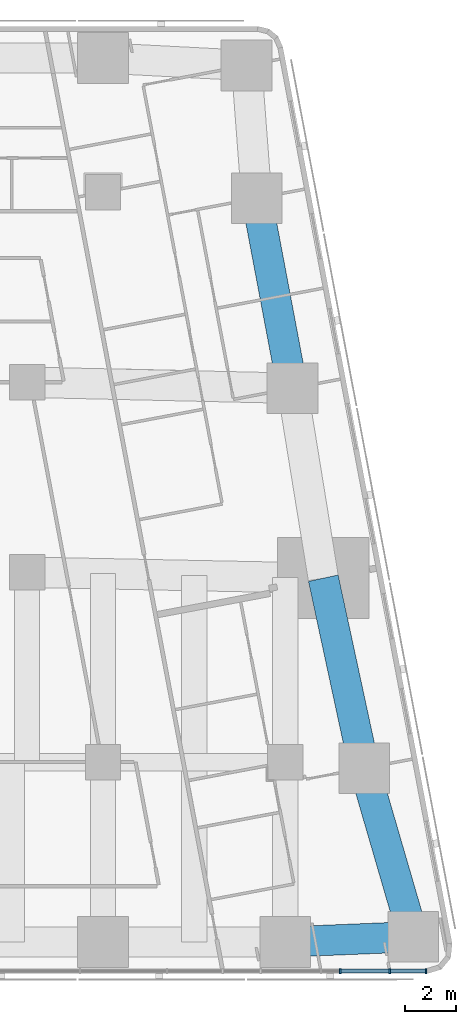
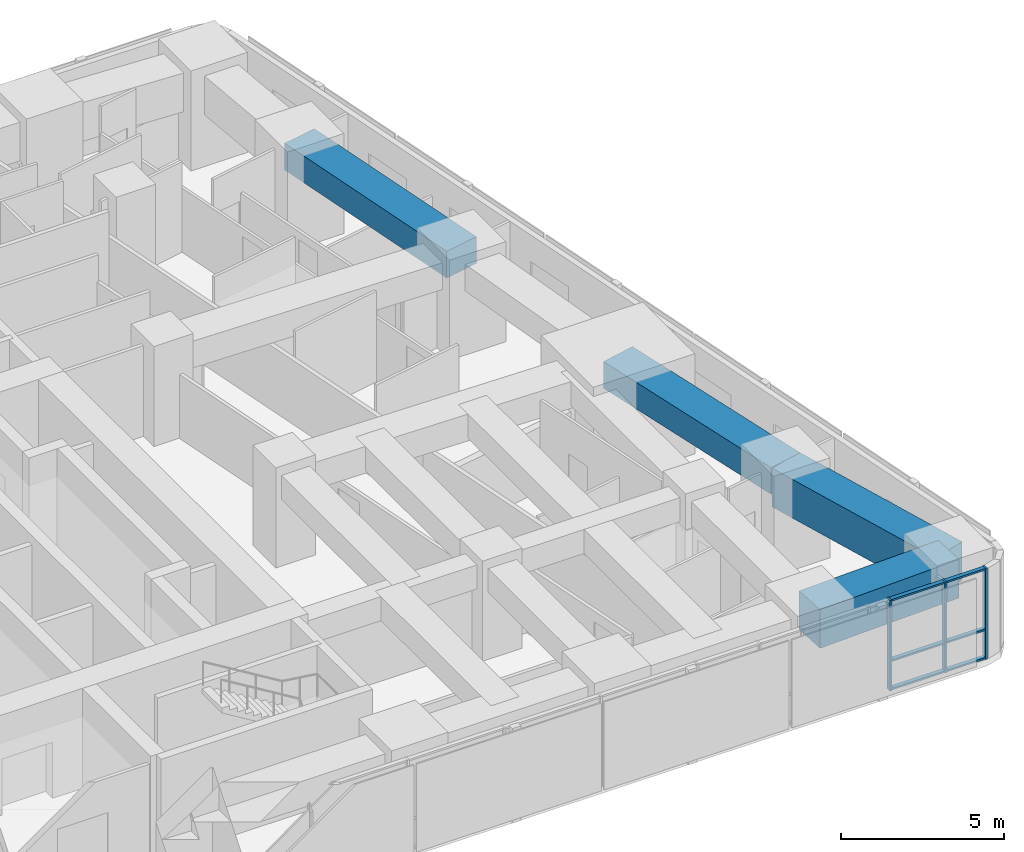
# One storey, part 3 of 10: 9 members, 4 beams, 1 element without a shape of its own.
"""IFC4 building model written with IfcOpenShell, lengths in metres."""

from ifc_helpers import new_model, si_unit, direction, frame, origin, origin_2d, place, context, subcontext, project, spatial, rectangle, extrude, material, material_profile, profile_set, type_object, element, aggregate, save


model = new_model("IFC4")

# Units and contexts
model_context = context("Model", 3, precision=1e-05, world=origin(), true_north=direction((0.0, 1.0)))
body_context = subcontext(model_context, "Body", "Model", "MODEL_VIEW")
ifc_project = project(units=[si_unit("LENGTHUNIT", "METRE"), si_unit("AREAUNIT", "SQUARE_METRE"), si_unit("VOLUMEUNIT", "CUBIC_METRE"), si_unit("PLANEANGLEUNIT", "RADIAN"), si_unit("MASSUNIT", "GRAM", prefix="KILO")], contexts=[model_context])

# Site, building, storey
site_placement = place(None, origin())
site = spatial("IfcSite", under=ifc_project, at=site_placement, CompositionType="ELEMENT")
building_placement = place(site_placement, origin())
building = spatial("IfcBuilding", under=site, at=building_placement, Name="Sheger Commons Tower", CompositionType="ELEMENT")
storey_placement = place(building_placement, frame((0.0, 0.0, 292.85009765625)))
storey = spatial("IfcBuildingStorey", under=building, at=storey_placement, Name="L75", CompositionType="ELEMENT", Elevation=292.85009765625)

# Curtain wall, members
ifc_material_1 = material(Name="Black aluminium curtain wall, dark tinted glazing", Category="aluminium")
curtain_wall_type = type_object("IfcCurtainWallType", Name="CURTAIN WALL CW5 SOUTH GALLERY", PredefinedType="USERDEFINED", material=ifc_material_1)
curtain_wall_placement = place(storey_placement, origin())
curtain_wall = element("IfcCurtainWall", 1, at=curtain_wall_placement, inside=storey, type_object=curtain_wall_type, Name="Curtain Wall Cw5 South Gallery S1 L75", ObjectType="UNITISED CURTAIN WALL", PredefinedType="USERDEFINED")
ifc_material_2 = material(Name="Black anodised aluminium", Category="aluminium")
ifc_material_profile_1 = material_profile(ifc_material_2, rectangle(XDim=0.199951171875, YDim=0.06494140625, at=origin_2d()), Name="AL 65x200")
ifc_profile_set_1 = profile_set([ifc_material_profile_1], Name="Black anodised aluminium")
member_type_1 = type_object("IfcMemberType", Name="MULLION AL 65x200", PredefinedType="MULLION", material=ifc_profile_set_1)
member_1_placement = place(storey_placement, frame((45.364990234375, 6.75, 0.0), z_axis=(0.0, 0.0, 1.0), x_axis=(0.0, 1.0, 0.0)))
member_1 = element("IfcMember", 2, at=member_1_placement, type_object=member_type_1, Name="CW5 mullion 12", PredefinedType="MULLION", context=body_context, shape_type="SweptSolid", body=[
    extrude(rectangle(XDim=0.199951171875, YDim=0.06494140625, at=origin_2d()), origin(), (0.0, 0.0, 1.0), 3.39990234375),
])
member_2_placement = place(storey_placement, frame((47.319091796875, 6.75, 0.0), z_axis=(0.0, 0.0, 1.0), x_axis=(0.0, 1.0, 0.0)))
member_2 = element("IfcMember", 3, at=member_2_placement, type_object=member_type_1, Name="CW5 mullion 13", PredefinedType="MULLION", context=body_context, shape_type="SweptSolid", body=[
    extrude(rectangle(XDim=0.199951171875, YDim=0.06494140625, at=origin_2d()), origin(), (0.0, 0.0, 1.0), 3.39990234375),
])
member_3_placement = place(storey_placement, frame((48.75439453125, 6.75, 0.0), z_axis=(0.0, 0.0, 1.0), x_axis=(0.0, 1.0, 0.0)))
member_3 = element("IfcMember", 4, at=member_3_placement, type_object=member_type_1, Name="CW5 mullion 14", PredefinedType="MULLION", context=body_context, shape_type="SweptSolid", body=[
    extrude(rectangle(XDim=0.199951171875, YDim=0.06494140625, at=origin_2d()), origin(), (0.0, 0.0, 1.0), 3.39990234375),
])

# Beams
ifc_material_3 = material(Name="Concrete C50/60", Category="concrete")
ifc_material_profile_2 = material_profile(ifc_material_3, rectangle(XDim=1.199951171875, YDim=1.0, at=origin_2d()), Name="RC 1200x1000")
ifc_profile_set_2 = profile_set([ifc_material_profile_2], Name="Concrete C50/60")
beam_type_1 = type_object("IfcBeamType", Name="SPANDREL RC 1200x1000", PredefinedType="SPANDREL", material=ifc_profile_set_2)
beam_1_placement = place(storey_placement, frame((46.31396484375, 14.762939453125, 2.89990234375), z_axis=(-0.210750229323, 0.977539943348, 0.0), x_axis=(-0.977539943348, -0.210750229323, 0.0)))
element("IfcBeam", 5, at=beam_1_placement, inside=storey, type_object=beam_type_1, Name="Beam E/C-E/D under L76", PredefinedType="SPANDREL", context=body_context, shape_type="SweptSolid", body=[
    extrude(rectangle(XDim=1.199951171875, YDim=1.0, at=origin_2d()), origin(), (0.0, 0.0, 1.0), 7.67236328125),
])
beam_2_placement = place(storey_placement, frame((43.47998046875, 29.762939453125, 2.89990234375), z_axis=(-0.18552441405, 0.982639655108, 0.0), x_axis=(-0.982639655108, -0.18552441405, 0.0)))
element("IfcBeam", 6, at=beam_2_placement, inside=storey, type_object=beam_type_1, Name="Beam E/E-E/F under L76", PredefinedType="SPANDREL", context=body_context, shape_type="SweptSolid", body=[
    extrude(rectangle(XDim=1.199951171875, YDim=1.0, at=origin_2d()), origin(), (0.0, 0.0, 1.0), 7.632568359375),
])
ifc_material_4 = material(Name="Concrete C50/60", Category="concrete")
ifc_material_profile_3 = material_profile(ifc_material_4, rectangle(XDim=1.199951171875, YDim=1.449951171875, at=origin_2d()), Name="RC 1200x1450")
ifc_profile_set_3 = profile_set([ifc_material_profile_3], Name="Concrete C50/60")
beam_type_2 = type_object("IfcBeamType", Name="SPANDREL RC 1200x1450", PredefinedType="SPANDREL", material=ifc_profile_set_3)
beam_3_placement = place(storey_placement, frame((43.199951171875, 7.89990234375, 2.6748046875), z_axis=(0.999161374218, 0.040945674641, 0.0), x_axis=(-0.040945674641, 0.999161374218, 0.0)))
element("IfcBeam", 7, at=beam_3_placement, inside=storey, type_object=beam_type_2, Name="Beam 7/B-E/B under L76", PredefinedType="SPANDREL", context=body_context, shape_type="SweptSolid", body=[
    extrude(rectangle(XDim=1.199951171875, YDim=1.449951171875, at=origin_2d()), origin(), (0.0, 0.0, 1.0), 5.05615234375),
])
beam_4_placement = place(storey_placement, frame((48.251953125, 8.10693359375, 2.6748046875), z_axis=(-0.279555048455, 0.960129665662, 0.0), x_axis=(-0.960129665662, -0.279555048455, 0.0)))
element("IfcBeam", 8, at=beam_4_placement, inside=storey, type_object=beam_type_2, Name="Beam E/B-E/C under L76", PredefinedType="SPANDREL", context=body_context, shape_type="SweptSolid", body=[
    extrude(rectangle(XDim=1.199951171875, YDim=1.449951171875, at=origin_2d()), origin(), (0.0, 0.0, 1.0), 6.932373046875),
])

# Member
ifc_material_5 = material(Name="Black anodised aluminium", Category="aluminium")
ifc_material_profile_4 = material_profile(ifc_material_5, rectangle(XDim=0.14990234375, YDim=0.06494140625, at=origin_2d()), Name="AL 65x150")
ifc_profile_set_4 = profile_set([ifc_material_profile_4], Name="Black anodised aluminium")
member_type_2 = type_object("IfcMemberType", Name="TRANSOM AL 65x150", PredefinedType="USERDEFINED", material=ifc_profile_set_4)
member_4_placement = place(storey_placement, frame((45.3974609375, 6.75, 0.032470703125), z_axis=(1.0, 0.0, 0.0), x_axis=(0.0, 1.0, 0.0)))
member_4 = element("IfcMember", 9, at=member_4_placement, type_object=member_type_2, Name="CW5 transom 12.1", ObjectType="TRANSOM", PredefinedType="USERDEFINED", context=body_context, shape_type="SweptSolid", body=[
    extrude(rectangle(XDim=0.14990234375, YDim=0.06494140625, at=origin_2d()), origin(), (0.0, 0.0, 1.0), 1.88916015625),
])

member_5_placement = place(storey_placement, frame((45.3974609375, 6.75, 1.099853515625), z_axis=(1.0, 0.0, 0.0), x_axis=(0.0, 1.0, 0.0)))
member_5 = element("IfcMember", 10, at=member_5_placement, type_object=member_type_2, Name="CW5 transom 12.2", ObjectType="TRANSOM", PredefinedType="USERDEFINED", context=body_context, shape_type="SweptSolid", body=[
    extrude(rectangle(XDim=0.14990234375, YDim=0.06494140625, at=origin_2d()), origin(), (0.0, 0.0, 1.0), 1.88916015625),
])

member_6_placement = place(storey_placement, frame((45.3974609375, 6.75, 3.367431640625), z_axis=(1.0, 0.0, 0.0), x_axis=(0.0, 1.0, 0.0)))
member_6 = element("IfcMember", 11, at=member_6_placement, type_object=member_type_2, Name="CW5 transom 12.3", ObjectType="TRANSOM", PredefinedType="USERDEFINED", context=body_context, shape_type="SweptSolid", body=[
    extrude(rectangle(XDim=0.14990234375, YDim=0.06494140625, at=origin_2d()), origin(), (0.0, 0.0, 1.0), 1.88916015625),
])

member_7_placement = place(storey_placement, frame((47.3515625, 6.75, 0.032470703125), z_axis=(1.0, 0.0, 0.0), x_axis=(0.0, 1.0, 0.0)))
member_7 = element("IfcMember", 12, at=member_7_placement, type_object=member_type_2, Name="CW5 transom 13.1", ObjectType="TRANSOM", PredefinedType="USERDEFINED", context=body_context, shape_type="SweptSolid", body=[
    extrude(rectangle(XDim=0.14990234375, YDim=0.06494140625, at=origin_2d()), origin(), (0.0, 0.0, 1.0), 1.370361328125),
])

member_8_placement = place(storey_placement, frame((47.3515625, 6.75, 1.099853515625), z_axis=(1.0, 0.0, 0.0), x_axis=(0.0, 1.0, 0.0)))
member_8 = element("IfcMember", 13, at=member_8_placement, type_object=member_type_2, Name="CW5 transom 13.2", ObjectType="TRANSOM", PredefinedType="USERDEFINED", context=body_context, shape_type="SweptSolid", body=[
    extrude(rectangle(XDim=0.14990234375, YDim=0.06494140625, at=origin_2d()), origin(), (0.0, 0.0, 1.0), 1.370361328125),
])

member_9_placement = place(storey_placement, frame((47.3515625, 6.75, 3.367431640625), z_axis=(1.0, 0.0, 0.0), x_axis=(0.0, 1.0, 0.0)))
member_9 = element("IfcMember", 14, at=member_9_placement, type_object=member_type_2, Name="CW5 transom 13.3", ObjectType="TRANSOM", PredefinedType="USERDEFINED", context=body_context, shape_type="SweptSolid", body=[
    extrude(rectangle(XDim=0.14990234375, YDim=0.06494140625, at=origin_2d()), origin(), (0.0, 0.0, 1.0), 1.370361328125),
])

aggregate(curtain_wall, [member_1, member_2, member_3, member_4, member_5, member_6, member_7, member_8, member_9])

save(model, "model.ifc")
